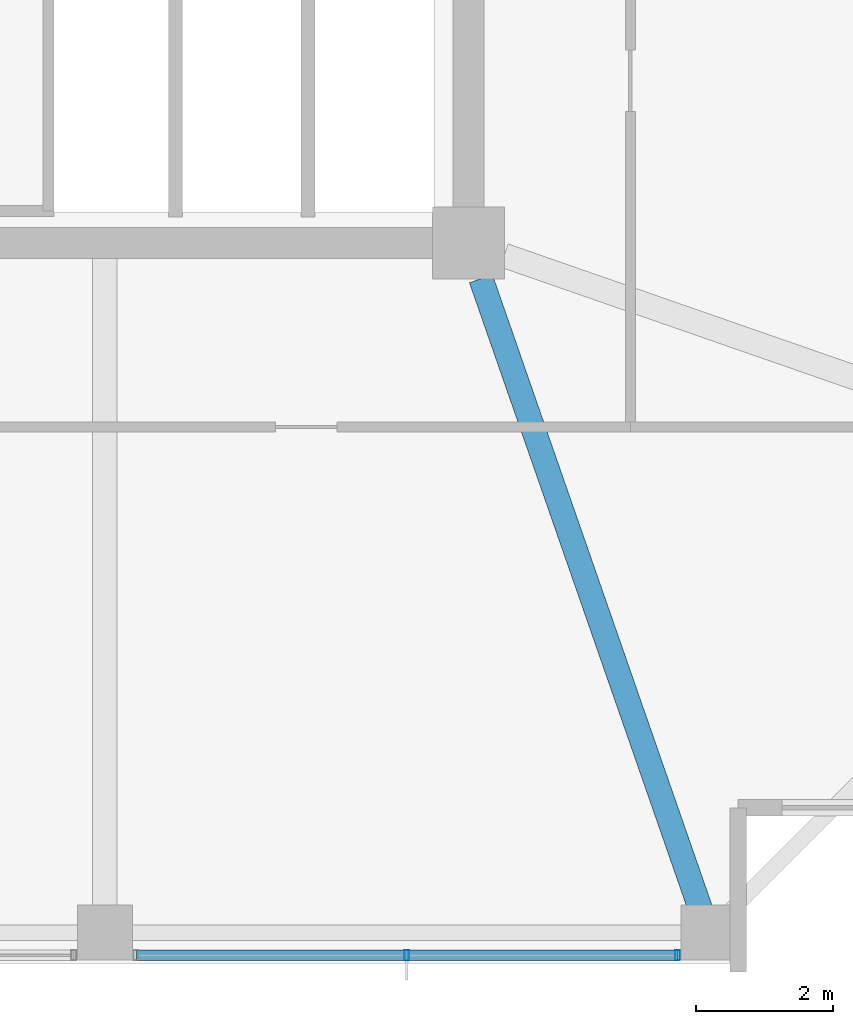
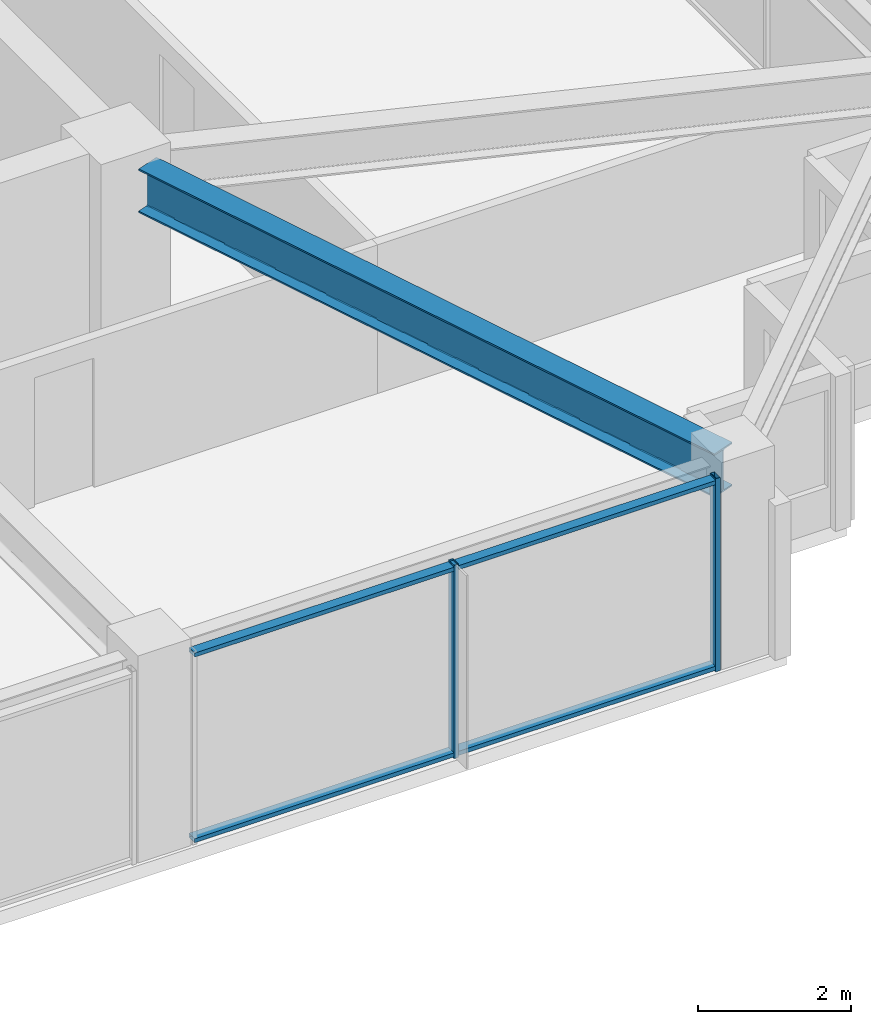
# One storey, part 10 of 34: 4 members, 1 beam, 1 element without a shape of its own.
"""IFC4 building model written with IfcOpenShell, lengths in metres."""

import ifcopenshell
import ifcopenshell.guid

model = None  # the IFC model being written
_history = None  # IfcOwnerHistory: only IFC2X3 demands one
_inside = {}  # id of a spatial element -> (the spatial element, [elements in it])
_under = {}  # id of a project, library or spatial element -> (it, [spatial elements below it])
_declared = {}  # id of a project -> (the project, [libraries it declares])
_typed = {}  # id of a type object -> (the type object, [elements of that type])
_made_of = {}  # id of a material, layer set ... -> (it, [elements and type objects made of it])


def new_model(schema):
    """Start an empty IFC model of exactly this schema.

    Asked for "IFC4X3", IfcOpenShell would pick the latest addendum, in which some entities
    have other attributes; the version numbers below select the first issue.
    IFC2X3 requires an IfcOwnerHistory on every rooted entity: one is made here for all.
    """
    global model, _history
    if schema == "IFC4X3":
        model = ifcopenshell.file(schema_version=(4, 3, 0, 0))
    else:
        model = ifcopenshell.file(schema=schema)
    _inside.clear()
    _under.clear()
    _declared.clear()
    _typed.clear()
    _made_of.clear()
    _history = None
    if model.schema == "IFC2X3":
        org = make("IfcOrganization", Name="unknown")
        user = make(
            "IfcPersonAndOrganization",
            ThePerson=make("IfcPerson", FamilyName="unknown"),
            TheOrganization=org,
        )
        app = make(
            "IfcApplication",
            ApplicationDeveloper=org,
            Version="unknown",
            ApplicationFullName="unknown",
            ApplicationIdentifier="unknown",
        )
        _history = make(
            "IfcOwnerHistory",
            OwningUser=user,
            OwningApplication=app,
            ChangeAction="ADDED",
            CreationDate=0,
        )
    return model


def make(cls, **values):
    """One entity of the class cls with the attributes given. An attribute that is None is left unset."""
    return model.create_entity(
        cls, **{name: value for name, value in values.items() if value is not None}
    )


def rooted(cls, **values):
    """An entity with a GlobalId (a new one), such as an element, a storey or a relation."""
    return make(cls, GlobalId=ifcopenshell.guid.new(), OwnerHistory=_history, **values)


def si_unit(unit_type, name, prefix=None):
    """IfcSIUnit, for example si_unit("LENGTHUNIT", "METRE", prefix="MILLI")."""
    return make("IfcSIUnit", UnitType=unit_type, Prefix=prefix, Name=name)


def assignment(units):
    """IfcUnitAssignment: the units of a project."""
    return None if units is None else make("IfcUnitAssignment", Units=units)


def point(xyz):
    """IfcCartesianPoint."""
    return None if xyz is None else make("IfcCartesianPoint", Coordinates=xyz)


def direction(xyz):
    """IfcDirection."""
    return None if xyz is None else make("IfcDirection", DirectionRatios=xyz)


def frame(location, z_axis=None, x_axis=None):
    """IfcAxis2Placement3D, a coordinate frame: its origin and axes. An axis left out is left unset."""
    return make(
        "IfcAxis2Placement3D",
        Location=point(location),
        Axis=direction(z_axis),
        RefDirection=direction(x_axis),
    )


def frame_2d(location, x_axis=None):
    """IfcAxis2Placement2D, a coordinate frame in the plane: its origin and x axis."""
    return make(
        "IfcAxis2Placement2D", Location=point(location), RefDirection=direction(x_axis)
    )


def origin():
    """The frame at (0, 0, 0) with its axes left unset."""
    return frame((0.0, 0.0, 0.0))


def origin_2d():
    """The frame at (0, 0) in the plane with its x axis left unset."""
    return frame_2d((0.0, 0.0))


def place(relative_to, where):
    """IfcLocalPlacement: puts the frame where relative to a parent placement (None: the world)."""
    return make(
        "IfcLocalPlacement", PlacementRelTo=relative_to, RelativePlacement=where
    )


def context(
    kind, dimensions, precision=None, world=None, true_north=None, identifier=None
):
    """IfcGeometricRepresentationContext, for example the 3D "Model" context."""
    return make(
        "IfcGeometricRepresentationContext",
        ContextIdentifier=identifier,
        ContextType=kind,
        CoordinateSpaceDimension=dimensions,
        Precision=precision,
        WorldCoordinateSystem=world,
        TrueNorth=true_north,
    )


def subcontext(parent, identifier, kind, view, scale=None):
    """IfcGeometricRepresentationSubContext, for example "Body" below "Model"."""
    return make(
        "IfcGeometricRepresentationSubContext",
        ContextIdentifier=identifier,
        ContextType=kind,
        ParentContext=parent,
        TargetScale=scale,
        TargetView=view,
    )


def project(units=None, contexts=None):
    """IfcProject with its units and contexts."""
    return rooted(
        "IfcProject",
        Name="project",
        RepresentationContexts=contexts,
        UnitsInContext=assignment(units),
    )


def spatial(cls, under=None, at=None, **own):
    """A site, building, storey or space (cls), placed at a placement, below another one or the project."""
    s = rooted(cls, ObjectPlacement=at, **own)
    if under is not None:
        _under.setdefault(under.id(), (under, []))[1].append(s)
    return s


def profile(cls, at=None, kind="AREA", **sizes):
    """A parametric profile (cls). Its sizes go by their IFC names, for example OverallWidth=200.0."""
    return make(cls, ProfileType=kind, Position=at, **sizes)


def hollow_rectangle(**sizes):
    """IfcRectangleHollowProfileDef."""
    return profile("IfcRectangleHollowProfileDef", **sizes)


def i_section(**sizes):
    """IfcIShapeProfileDef."""
    return profile("IfcIShapeProfileDef", **sizes)


def extrude(swept, where, along, depth):
    """IfcExtrudedAreaSolid: the profile swept, set in the frame where, extruded along a direction by depth."""
    return make(
        "IfcExtrudedAreaSolid",
        SweptArea=swept,
        Position=where,
        ExtrudedDirection=direction(along),
        Depth=depth,
    )


def shape(context_of_items, identifier, shape_type, items):
    """IfcShapeRepresentation: the items that make up one representation, for example the "Body"."""
    return make(
        "IfcShapeRepresentation",
        ContextOfItems=context_of_items,
        RepresentationIdentifier=identifier,
        RepresentationType=shape_type,
        Items=items,
    )


def material(Name=None, Category=None):
    """IfcMaterial."""
    return make("IfcMaterial", Name=Name, Category=Category)


def material_profile(
    of_material, cross_section, Name=None, Category=None, Priority=None
):
    """IfcMaterialProfile: a cross section and its material."""
    return make(
        "IfcMaterialProfile",
        Name=Name,
        Material=of_material,
        Profile=cross_section,
        Priority=Priority,
        Category=Category,
    )


def profile_set(profiles, Name=None, composite=None):
    """IfcMaterialProfileSet."""
    return make(
        "IfcMaterialProfileSet",
        Name=Name,
        MaterialProfiles=profiles,
        CompositeProfile=composite,
    )


def made_of(thing, what):
    """Note that an element or type object is made of a material, layer set ...; save() writes the relation."""
    if what is not None:
        _made_of.setdefault(what.id(), (what, []))[1].append(thing)
    return thing


def type_object(cls, material=None, **own):
    """A type object (cls), such as IfcWallType, which elements share."""
    return made_of(rooted(cls, **own), material)


def element(
    cls,
    number,
    at=None,
    inside=None,
    cuts=None,
    type_object=None,
    material=None,
    context=None,
    identifier="Body",
    shape_type=None,
    held_by="IfcProductDefinitionShape",
    body=None,
    shapes=None,
    **own,
):
    """One element of the class cls, such as IfcWall. Its Tag is "e" and its number.

    at: its placement. inside: the storey or other place that contains it. cuts: it is an
    opening in that element (IfcRelVoidsElement). A single representation is given by context,
    identifier, shape_type and body (its items); several are given by shapes. held_by: the class
    of the entity that holds the representations. save() writes the other relations.
    """
    e = rooted(cls, Tag="e%d" % number, ObjectPlacement=at, **own)
    if body is not None:
        shapes = [shape(context, identifier, shape_type, body)]
    if shapes is not None:
        e.Representation = make(held_by, Representations=shapes)
    if inside is not None:
        _inside.setdefault(inside.id(), (inside, []))[1].append(e)
    if cuts is not None:
        rooted(
            "IfcRelVoidsElement", RelatingBuildingElement=cuts, RelatedOpeningElement=e
        )
    if type_object is not None:
        _typed.setdefault(type_object.id(), (type_object, []))[1].append(e)
    return made_of(e, material)


def aggregate(whole, parts):
    """IfcRelAggregates: a whole, such as a stair, and the parts it consists of."""
    return rooted("IfcRelAggregates", RelatingObject=whole, RelatedObjects=parts)


def save(model, path):
    """Write the relations noted so far, then the file.

    IfcRelAggregates (storeys below a building ...), IfcRelContainedInSpatialStructure (elements
    in a storey), IfcRelDefinesByType, IfcRelAssociatesMaterial and IfcRelDeclares: one each for
    every whole, place, type object, material and project.
    """
    for whole, parts in _under.values():
        aggregate(whole, parts)
    for where, things in _inside.values():
        rooted(
            "IfcRelContainedInSpatialStructure",
            RelatedElements=things,
            RelatingStructure=where,
        )
    for kind, things in _typed.values():
        rooted("IfcRelDefinesByType", RelatedObjects=things, RelatingType=kind)
    for what, things in _made_of.values():
        rooted("IfcRelAssociatesMaterial", RelatedObjects=things, RelatingMaterial=what)
    for by, libraries in _declared.values():
        rooted("IfcRelDeclares", RelatingContext=by, RelatedDefinitions=libraries)
    model.write(path)


model = new_model("IFC4")

# Units and contexts
model_context = context("Model", 3, precision=1e-05, world=origin(), true_north=direction((0.0, 1.0)))
body_context = subcontext(model_context, "Body", "Model", "MODEL_VIEW")
ifc_project = project(units=[si_unit("LENGTHUNIT", "METRE"), si_unit("AREAUNIT", "SQUARE_METRE"), si_unit("VOLUMEUNIT", "CUBIC_METRE"), si_unit("PLANEANGLEUNIT", "RADIAN"), si_unit("MASSUNIT", "GRAM", prefix="KILO")], contexts=[model_context])

# Site, building, storey
site_placement = place(None, origin())
site = spatial("IfcSite", under=ifc_project, at=site_placement, CompositionType="ELEMENT")
building_placement = place(site_placement, origin())
building = spatial("IfcBuilding", under=site, at=building_placement, Name="Kolvaren Belvedere", CompositionType="ELEMENT")
storey_placement = place(building_placement, frame((0.0, 0.0, 222.89990234375)))
storey = spatial("IfcBuildingStorey", under=building, at=storey_placement, Name="L65", CompositionType="ELEMENT", Elevation=222.89990234375)

# Beam
ifc_material_1 = material(Name="Structural steel ASTM A992 Grade 50", Category="steel")
ifc_material_profile_1 = material_profile(ifc_material_1, i_section(OverallWidth=0.35498046875, OverallDepth=0.696044921875, WebThickness=0.015380859375, FlangeThickness=0.02490234375, FilletRadius=0.02197265625, at=origin_2d()), Name="W27X146")
ifc_profile_set_1 = profile_set([ifc_material_profile_1], Name="Structural steel ASTM A992 Grade 50")
beam_type = type_object("IfcBeamType", Name="BM-GIRD-W27X146", PredefinedType="BEAM", material=ifc_profile_set_1)
beam_placement = place(storey_placement, frame((10.080810546875, -10.41943359375, 2.732177734375), z_axis=(0.328898147971, -0.944365399758, 0.0), x_axis=(0.944365399758, 0.328898147971, 0.0)))
element("IfcBeam", 1, at=beam_placement, inside=storey, type_object=beam_type, Name="L65 Corner Core-to-Perimeter Girder CC2-S4", PredefinedType="BEAM", context=body_context, shape_type="SweptSolid", body=[
    extrude(i_section(OverallWidth=0.35498046875, OverallDepth=0.696044921875, WebThickness=0.015380859375, FlangeThickness=0.02490234375, FilletRadius=0.02197265625, at=origin_2d()), origin(), (0.0, 0.0, 1.0), 9.931884765625),
])

# Curtain wall, members
ifc_material_2 = material(Name="Anodised pale-metal aluminium AA 6063-T6", Category="aluminium")
curtain_wall_type = type_object("IfcCurtainWallType", Name="CW-Z5-HIGH", PredefinedType="NOTDEFINED", material=ifc_material_2)
curtain_wall_placement = place(storey_placement, origin())
curtain_wall = element("IfcCurtainWall", 2, at=curtain_wall_placement, inside=storey, type_object=curtain_wall_type, Name="L65 Unitised Curtain Wall FCW-L65-S-B1", PredefinedType="NOTDEFINED")
ifc_material_3 = material(Name="Anodised pale-metal aluminium AA 6063-T6", Category="aluminium")
ifc_material_profile_2 = material_profile(ifc_material_3, hollow_rectangle(XDim=0.070068359375, YDim=0.14990234375, WallThickness=0.004150390625, at=origin_2d()), Name="ALU-MUL-150X70")
ifc_profile_set_2 = profile_set([ifc_material_profile_2], Name="Anodised pale-metal aluminium AA 6063-T6")
member_type_1 = type_object("IfcMemberType", Name="CW-MUL-150", PredefinedType="MULLION", material=ifc_profile_set_2)
member_1_placement = place(storey_placement, frame((12.945068359375, -20.280029296875, 0.0), z_axis=(0.0, 0.0, 1.0), x_axis=(1.0, 0.0, 0.0)))
member_1 = element("IfcMember", 3, at=member_1_placement, type_object=member_type_1, Name="FCW-L65-S-B1 Unitised Mullion 1", PredefinedType="MULLION", context=body_context, shape_type="SweptSolid", body=[
    extrude(hollow_rectangle(XDim=0.070068359375, YDim=0.14990234375, WallThickness=0.004150390625, at=origin_2d()), origin(), (0.0, 0.0, 1.0), 3.080078125),
])
member_2_placement = place(storey_placement, frame((9.0, -20.280029296875, 0.0), z_axis=(0.0, 0.0, 1.0), x_axis=(1.0, 0.0, 0.0)))
member_2 = element("IfcMember", 4, at=member_2_placement, type_object=member_type_1, Name="FCW-L65-S-B1 Unitised Mullion 2", PredefinedType="MULLION", context=body_context, shape_type="SweptSolid", body=[
    extrude(hollow_rectangle(XDim=0.070068359375, YDim=0.14990234375, WallThickness=0.004150390625, at=origin_2d()), origin(), (0.0, 0.0, 1.0), 3.080078125),
])
ifc_material_4 = material(Name="Anodised pale-metal aluminium AA 6063-T6", Category="aluminium")
ifc_material_profile_3 = material_profile(ifc_material_4, hollow_rectangle(XDim=0.06494140625, YDim=0.14990234375, WallThickness=0.00390625, at=origin_2d()), Name="ALU-TRN-150X65")
ifc_profile_set_3 = profile_set([ifc_material_profile_3], Name="Anodised pale-metal aluminium AA 6063-T6")
member_type_2 = type_object("IfcMemberType", Name="CW-TRN-150", PredefinedType="USERDEFINED", material=ifc_profile_set_3)
member_3_placement = place(storey_placement, frame((12.945068359375, -20.280029296875, 0.06005859375), z_axis=(-1.0, 0.0, 0.0), x_axis=(0.0, 0.0, 1.0)))
member_3 = element("IfcMember", 5, at=member_3_placement, type_object=member_type_2, Name="FCW-L65-S-B1 Sill Transom", ObjectType="TRANSOM", PredefinedType="USERDEFINED", context=body_context, shape_type="SweptSolid", body=[
    extrude(hollow_rectangle(XDim=0.06494140625, YDim=0.14990234375, WallThickness=0.00390625, at=origin_2d()), origin(), (0.0, 0.0, 1.0), 7.89013671875),
])
member_4_placement = place(storey_placement, frame((12.945068359375, -20.280029296875, 3.02001953125), z_axis=(-1.0, 0.0, 0.0), x_axis=(0.0, 0.0, 1.0)))
member_4 = element("IfcMember", 6, at=member_4_placement, type_object=member_type_2, Name="FCW-L65-S-B1 Head Transom", ObjectType="TRANSOM", PredefinedType="USERDEFINED", context=body_context, shape_type="SweptSolid", body=[
    extrude(hollow_rectangle(XDim=0.06494140625, YDim=0.14990234375, WallThickness=0.00390625, at=origin_2d()), origin(), (0.0, 0.0, 1.0), 7.89013671875),
])
aggregate(curtain_wall, [member_1, member_2, member_3, member_4])

save(model, "model.ifc")
